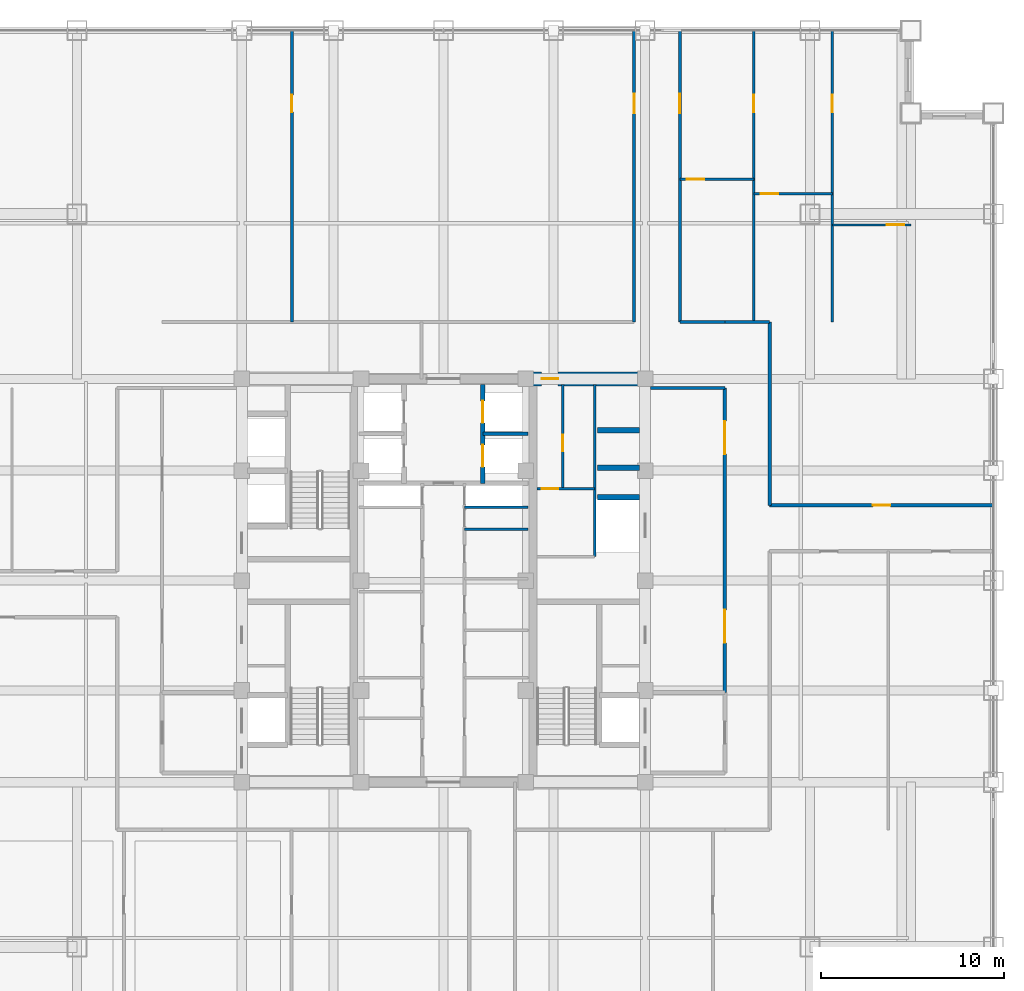
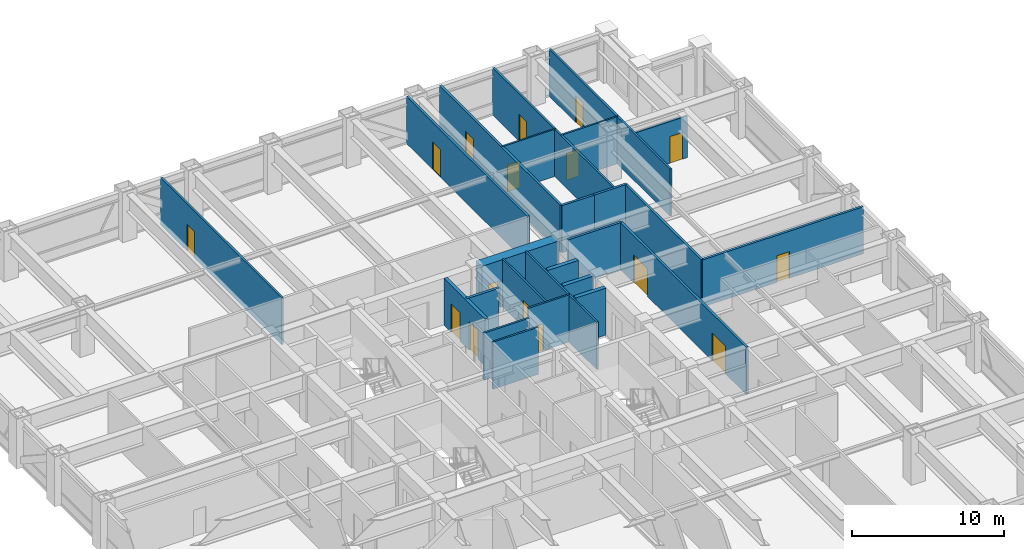
# One storey, part 23 of 26: 25 walls, 16 doors, 16 openings.
"""IFC4 building model written with IfcOpenShell, lengths in metres."""

from ifc_helpers import new_model, si_unit, direction, frame, frame_2d, origin, place, context, subcontext, project, spatial, rectangle, extrude, source, transform, mapped, material, layer, layer_set, type_object, element, fill, save


model = new_model("IFC4")

# Units and contexts
model_context = context("Model", 3, precision=1e-05, world=origin(), true_north=direction((0.0, 1.0)))
body_context = subcontext(model_context, "Body", "Model", "MODEL_VIEW")
ifc_project = project(units=[si_unit("LENGTHUNIT", "METRE"), si_unit("AREAUNIT", "SQUARE_METRE"), si_unit("VOLUMEUNIT", "CUBIC_METRE"), si_unit("PLANEANGLEUNIT", "RADIAN"), si_unit("MASSUNIT", "GRAM", prefix="KILO")], contexts=[model_context])

# Site, building, storey
site_placement = place(None, origin())
site = spatial("IfcSite", under=ifc_project, at=site_placement, CompositionType="ELEMENT")
building_placement = place(site_placement, origin())
building = spatial("IfcBuilding", under=site, at=building_placement, Name="Khorayat Bourse Tower", CompositionType="ELEMENT")
storey_placement = place(building_placement, frame((0.0, 0.0, 207.10009765625)))
storey = spatial("IfcBuildingStorey", under=building, at=storey_placement, Name="L48", CompositionType="ELEMENT", Elevation=207.10009765625)

# Wall, opening, door
ifc_material_1 = material(Name="Concrete C72/90", Category="concrete")
ifc_layer_1 = layer(ifc_material_1, 0.75)
ifc_layer_set_1 = layer_set([ifc_layer_1], Name="Concrete C72/90")
wall_type_1 = type_object("IfcWallType", Name="WAL-CORE-750", PredefinedType="SHEAR", material=ifc_layer_set_1)
shared_shape_1 = source(origin(), body_context, "Body", "SweptSolid", [
    extrude(rectangle(XDim=5.849853515625, YDim=0.75, at=frame_2d((2.9248046875, 0.0))), origin(), (0.0, 0.0, 1.0), 3.77978515625),
])
wall_1_placement = place(storey_placement, frame((4.85009765625, 11.0, 0.0), z_axis=(0.0, 0.0, 1.0), x_axis=(1.0, 0.0, 0.0)))
wall_1 = element("IfcWall", 1, at=wall_1_placement, inside=storey, type_object=wall_type_1, Name="L48 Core Shear Wall PIER-EN", PredefinedType="SHEAR", context=body_context, shape_type="MappedRepresentation", body=[
    mapped(shared_shape_1, transform((0.0, 0.0, 0.0), scale=1.0)),
])
shared_shape_2 = source(origin(), body_context, "Body", "SweptSolid", [
    extrude(rectangle(XDim=0.89990234375, YDim=2.14990234375, at=frame_2d((0.449951171875, 1.074951171875))), frame((0.0, 0.385009765625, 0.0), z_axis=(0.0, -1.0, 0.0), x_axis=(1.0, 0.0, 0.0)), (0.0, 0.0, 1.0), 0.77001953125),
])
opening_1_placement = place(wall_1_placement, frame((0.5, 0.0, 0.0)))
opening_1 = element("IfcOpeningElement", 2, at=opening_1_placement, cuts=wall_1, Name="Opening DI-06", PredefinedType="OPENING", context=body_context, shape_type="MappedRepresentation", body=[
    mapped(shared_shape_2, transform((0.0, 0.0, 0.0), scale=1.0)),
])
ifc_material_2 = material(Name="Moisture-resistant laminate washroom door")
door_type_1 = type_object("IfcDoorType", Name="DR-INT-WC-900", OperationType="NOTDEFINED", PredefinedType="DOOR", material=ifc_material_2)
shared_shape_3 = source(origin(), body_context, "Body", "SweptSolid", [
    extrude(rectangle(XDim=0.89990234375, YDim=2.14990234375, at=frame_2d((0.449951171875, 1.074951171875))), frame((0.0, 0.02490234375, 0.0), z_axis=(0.0, -1.0, 0.0), x_axis=(1.0, 0.0, 0.0)), (0.0, 0.0, 1.0), 0.050048828125),
])
door_1_placement = place(opening_1_placement, origin())
door_1 = element("IfcDoor", 3, at=door_1_placement, inside=storey, type_object=door_type_1, Name="L48 Core Washroom Lobby Door", OperationType="SINGLE_SWING_LEFT", OverallHeight=2.14990234375, OverallWidth=0.89990234375, PredefinedType="DOOR", context=body_context, shape_type="MappedRepresentation", body=[
    mapped(shared_shape_3, transform((0.0, 0.0, 0.0), scale=1.0)),
])
fill(opening_1, door_1)

# Walls
ifc_material_3 = material(Name="Concrete C50/60", Category="concrete")
ifc_layer_2 = layer(ifc_material_3, 0.300048828125)
ifc_layer_set_2 = layer_set([ifc_layer_2], Name="Concrete C50/60")
wall_type_2 = type_object("IfcWallType", Name="WAL-SHAFT-300", PredefinedType="SHEAR", material=ifc_layer_set_2)
shared_shape_4 = source(origin(), body_context, "Body", "SweptSolid", [
    extrude(rectangle(XDim=2.300048828125, YDim=0.300048828125, at=frame_2d((1.14990234375, 0.0))), origin(), (0.0, 0.0, 1.0), 3.77978515625),
])
for number, where, z_axis, x_axis, name in (
    (4, (8.39990234375, 4.550048828125, 0.0), (0.0, 0.0, 1.0), (1.0, 0.0, 0.0), "L48 Partition WAL-L48-EPIER-SVLN"),
    (5, (8.39990234375, 6.14990234375, 0.0), (0.0, 0.0, 1.0), (1.0, 0.0, 0.0), "L48 Partition WAL-L48-EPIER-H3S"),
    (6, (8.39990234375, 8.199951171875, 0.0), (0.0, 0.0, 1.0), (1.0, 0.0, 0.0), "L48 Partition WAL-L48-EPIER-H34"),
):
    element("IfcWall", number, at=place(storey_placement, frame(where, z_axis=z_axis, x_axis=x_axis)), inside=storey, type_object=wall_type_2, Name=name, PredefinedType="SHEAR", context=body_context, shape_type="MappedRepresentation", body=[
        mapped(shared_shape_4, transform((0.0, 0.0, 0.0), scale=1.0)),
    ])
ifc_material_4 = material(Name="Moisture-resistant masonry partition", Category="masonry")
ifc_layer_3 = layer(ifc_material_4, 0.139892578125)
ifc_layer_set_3 = layer_set([ifc_layer_3], Name="Moisture-resistant masonry partition")
wall_type_3 = type_object("IfcWallType", Name="WAL-PART-WET-140", PredefinedType="PARTITIONING", material=ifc_layer_set_3)
shared_shape_5 = source(origin(), body_context, "Body", "SweptSolid", [
    extrude(rectangle(XDim=9.39990234375, YDim=0.139892578125, at=frame_2d((4.699951171875, 0.0))), origin(), (0.0, 0.0, 1.0), 3.77978515625),
])
wall_2_placement = place(storey_placement, frame((8.25, 1.300048828125, 0.0), z_axis=(0.0, 0.0, 1.0), x_axis=(0.0, 1.0, 0.0)))
element("IfcWall", 7, at=wall_2_placement, inside=storey, type_object=wall_type_3, Name="L48 Partition WAL-L48-ECORE-E", PredefinedType="PARTITIONING", context=body_context, shape_type="MappedRepresentation", body=[
    mapped(shared_shape_5, transform((0.0, 0.0, 0.0), scale=1.0)),
])

# Wall, opening, door
shared_shape_6 = source(origin(), body_context, "Body", "SweptSolid", [
    extrude(rectangle(XDim=3.14990234375, YDim=0.139892578125, at=frame_2d((1.574951171875, 0.0))), origin(), (0.0, 0.0, 1.0), 3.77978515625),
])
wall_3_placement = place(storey_placement, frame((5.10009765625, 5.0, 0.0), z_axis=(0.0, 0.0, 1.0), x_axis=(1.0, 0.0, 0.0)))
wall_3 = element("IfcWall", 8, at=wall_3_placement, inside=storey, type_object=wall_type_3, Name="L48 Partition WAL-L48-ECW-BOT", PredefinedType="PARTITIONING", context=body_context, shape_type="MappedRepresentation", body=[
    mapped(shared_shape_6, transform((0.0, 0.0, 0.0), scale=1.0)),
])
shared_shape_7 = source(origin(), body_context, "Body", "SweptSolid", [
    extrude(rectangle(XDim=0.89990234375, YDim=2.14990234375, at=frame_2d((0.449951171875, 1.074951171875))), frame((0.0, 0.079833984375, 0.0), z_axis=(0.0, -1.0, 0.0), x_axis=(1.0, 0.0, 0.0)), (0.0, 0.0, 1.0), 0.159912109375),
])
opening_2_placement = place(wall_3_placement, frame((0.25, 0.0, 0.0)))
opening_2 = element("IfcOpeningElement", 9, at=opening_2_placement, cuts=wall_3, Name="Opening DI-06", PredefinedType="OPENING", context=body_context, shape_type="MappedRepresentation", body=[
    mapped(shared_shape_7, transform((0.0, 0.0, 0.0), scale=1.0)),
])
door_2_placement = place(opening_2_placement, origin())
door_2 = element("IfcDoor", 10, at=door_2_placement, inside=storey, type_object=door_type_1, Name="L48 Shared Washroom Door", OperationType="SINGLE_SWING_LEFT", OverallHeight=2.14990234375, OverallWidth=0.89990234375, PredefinedType="DOOR", context=body_context, shape_type="MappedRepresentation", body=[
    mapped(shared_shape_3, transform((0.0, 0.0, 0.0), scale=1.0)),
])
fill(opening_2, door_2)

# Wall
ifc_material_5 = material(Name="Gypsum plasterboard acoustic stud wall")
ifc_layer_4 = layer(ifc_material_5, 0.179931640625)
ifc_layer_set_4 = layer_set([ifc_layer_4], Name="Gypsum plasterboard acoustic stud wall")
wall_type_4 = type_object("IfcWallType", Name="WAL-PART-CORR-180", PredefinedType="PARTITIONING", material=ifc_layer_set_4)
shared_shape_8 = source(origin(), body_context, "Body", "SweptSolid", [
    extrude(rectangle(XDim=4.050048828125, YDim=0.179931640625, at=frame_2d((2.02490234375, 0.0))), origin(), (0.0, 0.0, 1.0), 3.77978515625),
])
wall_4_placement = place(storey_placement, frame((11.300048828125, 10.5, 0.0), z_axis=(0.0, 0.0, 1.0), x_axis=(1.0, 0.0, 0.0)))
element("IfcWall", 11, at=wall_4_placement, inside=storey, type_object=wall_type_4, Name="L48 Partition WAL-L48-ELOB-N", PredefinedType="PARTITIONING", context=body_context, shape_type="MappedRepresentation", body=[
    mapped(shared_shape_8, transform((0.0, 0.0, 0.0), scale=1.0)),
])

# Wall, openings, doors
shared_shape_9 = source(origin(), body_context, "Body", "SweptSolid", [
    extrude(rectangle(XDim=16.60009765625, YDim=0.179931640625, at=frame_2d((8.300048828125, 0.0))), origin(), (0.0, 0.0, 1.0), 3.77978515625),
])
wall_5_placement = place(storey_placement, frame((15.35009765625, -6.10009765625, 0.0), z_axis=(0.0, 0.0, 1.0), x_axis=(0.0, 1.0, 0.0)))
wall_5 = element("IfcWall", 12, at=wall_5_placement, inside=storey, type_object=wall_type_4, Name="L48 Partition WAL-L48-ELOB-E", PredefinedType="PARTITIONING", context=body_context, shape_type="MappedRepresentation", body=[
    mapped(shared_shape_9, transform((0.0, 0.0, 0.0), scale=1.0)),
])
shared_shape_10 = source(origin(), body_context, "Body", "SweptSolid", [
    extrude(rectangle(XDim=1.800048828125, YDim=2.25, at=frame_2d((0.89990234375, 1.125))), frame((0.0, 0.099853515625, 0.0), z_axis=(0.0, -1.0, 0.0), x_axis=(1.0, 0.0, 0.0)), (0.0, 0.0, 1.0), 0.199951171875),
])
opening_3_placement = place(wall_5_placement, frame((2.699951171875, 0.0, 0.0)))
opening_3 = element("IfcOpeningElement", 13, at=opening_3_placement, cuts=wall_5, Name="Opening DI-03", PredefinedType="OPENING", context=body_context, shape_type="MappedRepresentation", body=[
    mapped(shared_shape_10, transform((0.0, 0.0, 0.0), scale=1.0)),
])
opening_4_placement = place(wall_5_placement, frame((13.0, 0.0, 0.0)))
opening_4 = element("IfcOpeningElement", 14, at=opening_4_placement, cuts=wall_5, Name="Opening DI-03", PredefinedType="OPENING", context=body_context, shape_type="MappedRepresentation", body=[
    mapped(shared_shape_10, transform((0.0, 0.0, 0.0), scale=1.0)),
])
ifc_material_6 = material(Name="Fire-rated hardwood vision-panel double leaf", Category="wood")
door_type_2 = type_object("IfcDoorType", Name="DR-INT-CORR-1800", OperationType="NOTDEFINED", PredefinedType="DOOR", material=ifc_material_6)
shared_shape_11 = source(origin(), body_context, "Body", "SweptSolid", [
    extrude(rectangle(XDim=1.800048828125, YDim=2.25, at=frame_2d((0.89990234375, 1.125))), frame((0.0, 0.02490234375, 0.0), z_axis=(0.0, -1.0, 0.0), x_axis=(1.0, 0.0, 0.0)), (0.0, 0.0, 1.0), 0.050048828125),
])
door_3_placement = place(opening_3_placement, origin())
door_3 = element("IfcDoor", 15, at=door_3_placement, inside=storey, type_object=door_type_2, Name="L48 East Core Lobby South Door", OperationType="SINGLE_SWING_RIGHT", OverallHeight=2.25, OverallWidth=1.800048828125, PredefinedType="DOOR", context=body_context, shape_type="MappedRepresentation", body=[
    mapped(shared_shape_11, transform((0.0, 0.0, 0.0), scale=1.0)),
])
fill(opening_3, door_3)
door_4_placement = place(opening_4_placement, origin())
door_4 = element("IfcDoor", 16, at=door_4_placement, inside=storey, type_object=door_type_2, Name="L48 East Core Lobby North Door", OperationType="SINGLE_SWING_LEFT", OverallHeight=2.25, OverallWidth=1.800048828125, PredefinedType="DOOR", context=body_context, shape_type="MappedRepresentation", body=[
    mapped(shared_shape_11, transform((0.0, 0.0, 0.0), scale=1.0)),
])
fill(opening_4, door_4)

# Walls
ifc_material_7 = material(Name="Gypsum plasterboard twin-frame partition")
ifc_layer_5 = layer(ifc_material_7, 0.14990234375)
ifc_layer_set_5 = layer_set([ifc_layer_5], Name="Gypsum plasterboard twin-frame partition")
wall_type_5 = type_object("IfcWallType", Name="WAL-PART-SUITE-150", PredefinedType="PARTITIONING", material=ifc_layer_set_5)
shared_shape_12 = source(origin(), body_context, "Body", "SweptSolid", [
    extrude(rectangle(XDim=3.4501953125, YDim=0.14990234375, at=frame_2d((1.72509765625, 0.0))), origin(), (0.0, 0.0, 1.0), 3.77978515625),
])
wall_6_placement = place(storey_placement, frame((1.14990234375, 4.0, 0.0), z_axis=(0.0, 0.0, 1.0), x_axis=(1.0, 0.0, 0.0)))
element("IfcWall", 17, at=wall_6_placement, inside=storey, type_object=wall_type_5, Name="L48 Partition WAL-L48-CRSE-S", PredefinedType="PARTITIONING", context=body_context, shape_type="MappedRepresentation", body=[
    mapped(shared_shape_12, transform((0.0, 0.0, 0.0), scale=1.0)),
])
shared_shape_13 = source(origin(), body_context, "Body", "SweptSolid", [
    extrude(rectangle(XDim=3.4501953125, YDim=0.139892578125, at=frame_2d((1.72509765625, 0.0))), origin(), (0.0, 0.0, 1.0), 3.77978515625),
])
wall_7_placement = place(storey_placement, frame((1.14990234375, 2.800048828125, 0.0), z_axis=(0.0, 0.0, 1.0), x_axis=(1.0, 0.0, 0.0)))
element("IfcWall", 18, at=wall_7_placement, inside=storey, type_object=wall_type_3, Name="L48 Partition WAL-L48-CME-D3", PredefinedType="PARTITIONING", context=body_context, shape_type="MappedRepresentation", body=[
    mapped(shared_shape_13, transform((0.0, 0.0, 0.0), scale=1.0)),
])

# Wall, openings, doors
shared_shape_14 = source(origin(), body_context, "Body", "SweptSolid", [
    extrude(rectangle(XDim=5.39990234375, YDim=0.25, at=frame_2d((2.699951171875, 0.0))), origin(), (0.0, 0.0, 1.0), 3.77978515625),
])
wall_8_placement = place(storey_placement, frame((2.14990234375, 5.300048828125, 0.0), z_axis=(0.0, 0.0, 1.0), x_axis=(0.0, 1.0, 0.0)))
wall_8 = element("IfcWall", 19, at=wall_8_placement, inside=storey, type_object=wall_type_2, Name="L48 Partition WAL-L48-B2-E", PredefinedType="SHEAR", context=body_context, shape_type="MappedRepresentation", body=[
    mapped(shared_shape_14, transform((0.0, 0.0, 0.0), scale=1.0)),
])
shared_shape_15 = source(origin(), body_context, "Body", "SweptSolid", [
    extrude(rectangle(XDim=1.199951171875, YDim=2.300048828125, at=frame_2d((0.60009765625, 1.14990234375))), frame((0.0, 0.135009765625, 0.0), z_axis=(0.0, -1.0, 0.0), x_axis=(1.0, 0.0, 0.0)), (0.0, 0.0, 1.0), 0.27001953125),
])
opening_5_placement = place(wall_8_placement, frame((3.300048828125, 0.0, 0.0)))
opening_5 = element("IfcOpeningElement", 20, at=opening_5_placement, cuts=wall_8, Name="Opening LD-01", PredefinedType="OPENING", context=body_context, shape_type="MappedRepresentation", body=[
    mapped(shared_shape_15, transform((0.0, 0.0, 0.0), scale=1.0)),
])
opening_6_placement = place(wall_8_placement, frame((0.89990234375, 0.0, 0.0)))
opening_6 = element("IfcOpeningElement", 21, at=opening_6_placement, cuts=wall_8, Name="Opening LD-01", PredefinedType="OPENING", context=body_context, shape_type="MappedRepresentation", body=[
    mapped(shared_shape_15, transform((0.0, 0.0, 0.0), scale=1.0)),
])
ifc_material_8 = material(Name="Brushed bronze stainless-steel sliding door", Category="steel")
door_type_3 = type_object("IfcDoorType", Name="DR-LIFT-PASS-1200", OperationType="NOTDEFINED", PredefinedType="DOOR", material=ifc_material_8)
shared_shape_16 = source(origin(), body_context, "Body", "SweptSolid", [
    extrude(rectangle(XDim=1.199951171875, YDim=2.300048828125, at=frame_2d((0.60009765625, 1.14990234375))), frame((0.0, 0.02490234375, 0.0), z_axis=(0.0, -1.0, 0.0), x_axis=(1.0, 0.0, 0.0)), (0.0, 0.0, 1.0), 0.050048828125),
])
door_5_placement = place(opening_5_placement, origin())
door_5 = element("IfcDoor", 22, at=door_5_placement, inside=storey, type_object=door_type_3, Name="L48 Lift PL-M2 Sliding Landing Door", OperationType="SLIDING_TO_LEFT", OverallHeight=2.300048828125, OverallWidth=1.199951171875, PredefinedType="DOOR", context=body_context, shape_type="MappedRepresentation", body=[
    mapped(shared_shape_16, transform((0.0, 0.0, 0.0), scale=1.0)),
])
fill(opening_5, door_5)
door_6_placement = place(opening_6_placement, origin())
door_6 = element("IfcDoor", 23, at=door_6_placement, inside=storey, type_object=door_type_3, Name="L48 Lift PL-M4 Sliding Landing Door", OperationType="SLIDING_TO_LEFT", OverallHeight=2.300048828125, OverallWidth=1.199951171875, PredefinedType="DOOR", context=body_context, shape_type="MappedRepresentation", body=[
    mapped(shared_shape_16, transform((0.0, 0.0, 0.0), scale=1.0)),
])
fill(opening_6, door_6)

# Walls
shared_shape_17 = source(origin(), body_context, "Body", "SweptSolid", [
    extrude(rectangle(XDim=2.4501953125, YDim=0.199951171875, at=frame_2d((1.22509765625, 0.0))), origin(), (0.0, 0.0, 1.0), 3.77978515625),
])
wall_9_placement = place(storey_placement, frame((2.14990234375, 8.0, 0.0), z_axis=(0.0, 0.0, 1.0), x_axis=(1.0, 0.0, 0.0)))
element("IfcWall", 24, at=wall_9_placement, inside=storey, type_object=wall_type_2, Name="L48 Partition WAL-L48-B2-ME", PredefinedType="SHEAR", context=body_context, shape_type="MappedRepresentation", body=[
    mapped(shared_shape_17, transform((0.0, 0.0, 0.0), scale=1.0)),
])
shared_shape_18 = source(origin(), body_context, "Body", "SweptSolid", [
    extrude(rectangle(XDim=2.449951171875, YDim=0.179931640625, at=frame_2d((1.22509765625, 0.0))), origin(), (0.0, 0.0, 1.0), 3.77978515625),
])
wall_10_placement = place(storey_placement, frame((15.35009765625, 14.10009765625, 0.0), z_axis=(0.0, 0.0, 1.0), x_axis=(1.0, 0.0, 0.0)))
element("IfcWall", 25, at=wall_10_placement, inside=storey, type_object=wall_type_4, Name="L48 Partition WAL-L48-C2-EN", PredefinedType="PARTITIONING", context=body_context, shape_type="MappedRepresentation", body=[
    mapped(shared_shape_18, transform((0.0, 0.0, 0.0), scale=1.0)),
])

# Wall, opening, door
shared_shape_19 = source(origin(), body_context, "Body", "SweptSolid", [
    extrude(rectangle(XDim=12.199951171875, YDim=0.179931640625, at=frame_2d((6.10009765625, 0.0))), origin(), (0.0, 0.0, 1.0), 3.77978515625),
])
wall_11_placement = place(storey_placement, frame((17.800048828125, 4.10009765625, 0.0), z_axis=(0.0, 0.0, 1.0), x_axis=(1.0, 0.0, 0.0)))
wall_11 = element("IfcWall", 26, at=wall_11_placement, inside=storey, type_object=wall_type_4, Name="L48 Partition WAL-L48-EN-SPK", PredefinedType="PARTITIONING", context=body_context, shape_type="MappedRepresentation", body=[
    mapped(shared_shape_19, transform((0.0, 0.0, 0.0), scale=1.0)),
])
shared_shape_20 = source(origin(), body_context, "Body", "SweptSolid", [
    extrude(rectangle(XDim=0.949951171875, YDim=2.14990234375, at=frame_2d((0.47509765625, 1.074951171875))), frame((0.0, 0.099853515625, 0.0), z_axis=(0.0, -1.0, 0.0), x_axis=(1.0, 0.0, 0.0)), (0.0, 0.0, 1.0), 0.199951171875),
])
opening_7_placement = place(wall_11_placement, frame((5.625, 0.0, 0.0)))
opening_7 = element("IfcOpeningElement", 27, at=opening_7_placement, cuts=wall_11, Name="Opening DI-05", PredefinedType="OPENING", context=body_context, shape_type="MappedRepresentation", body=[
    mapped(shared_shape_20, transform((0.0, 0.0, 0.0), scale=1.0)),
])
ifc_material_9 = material(Name="Acoustic oak veneer office door")
door_type_4 = type_object("IfcDoorType", Name="DR-INT-OFFICE-950", OperationType="NOTDEFINED", PredefinedType="DOOR", material=ifc_material_9)
shared_shape_21 = source(origin(), body_context, "Body", "SweptSolid", [
    extrude(rectangle(XDim=0.949951171875, YDim=2.14990234375, at=frame_2d((0.47509765625, 1.074951171875))), frame((0.0, 0.02490234375, 0.0), z_axis=(0.0, -1.0, 0.0), x_axis=(1.0, 0.0, 0.0)), (0.0, 0.0, 1.0), 0.050048828125),
])
door_7_placement = place(opening_7_placement, origin())
door_7 = element("IfcDoor", 28, at=door_7_placement, inside=storey, type_object=door_type_4, Name="L48 Staff Tea Pantry EN Door", OperationType="SINGLE_SWING_LEFT", OverallHeight=2.14990234375, OverallWidth=0.949951171875, PredefinedType="DOOR", context=body_context, shape_type="MappedRepresentation", body=[
    mapped(shared_shape_21, transform((0.0, 0.0, 0.0), scale=1.0)),
])
fill(opening_7, door_7)

shared_shape_22 = source(origin(), body_context, "Body", "SweptSolid", [
    extrude(rectangle(XDim=5.699951171875, YDim=0.139892578125, at=frame_2d((2.85009765625, 0.0))), origin(), (0.0, 0.0, 1.0), 3.77978515625),
])
wall_12_placement = place(storey_placement, frame((6.5, 5.0, 0.0), z_axis=(0.0, 0.0, 1.0), x_axis=(0.0, 1.0, 0.0)))
wall_12 = element("IfcWall", 29, at=wall_12_placement, inside=storey, type_object=wall_type_3, Name="L48 Partition WAL-L48-ECW-MID", PredefinedType="PARTITIONING", context=body_context, shape_type="MappedRepresentation", body=[
    mapped(shared_shape_22, transform((0.0, 0.0, 0.0), scale=1.0)),
])
opening_8_placement = place(wall_12_placement, frame((2.050048828125, 0.0, 0.0)))
opening_8 = element("IfcOpeningElement", 30, at=opening_8_placement, cuts=wall_12, Name="Opening DI-06", PredefinedType="OPENING", context=body_context, shape_type="MappedRepresentation", body=[
    mapped(shared_shape_7, transform((0.0, 0.0, 0.0), scale=1.0)),
])
door_8_placement = place(opening_8_placement, origin())
door_8 = element("IfcDoor", 31, at=door_8_placement, inside=storey, type_object=door_type_1, Name="L48 Accessible WC Door", OperationType="SINGLE_SWING_RIGHT", OverallHeight=2.14990234375, OverallWidth=0.89990234375, PredefinedType="DOOR", context=body_context, shape_type="MappedRepresentation", body=[
    mapped(shared_shape_3, transform((0.0, 0.0, 0.0), scale=1.0)),
])
fill(opening_8, door_8)

shared_shape_23 = source(origin(), body_context, "Body", "SweptSolid", [
    extrude(rectangle(XDim=15.89990234375, YDim=0.179931640625, at=frame_2d((7.949951171875, 0.0))), origin(), (0.0, 0.0, 1.0), 3.77978515625),
])
wall_13_placement = place(storey_placement, frame((10.39990234375, 14.10009765625, 0.0), z_axis=(0.0, 0.0, 1.0), x_axis=(0.0, 1.0, 0.0)))
wall_13 = element("IfcWall", 32, at=wall_13_placement, inside=storey, type_object=wall_type_4, Name="L48 Partition WAL-L48-QNW-SPK", PredefinedType="PARTITIONING", context=body_context, shape_type="MappedRepresentation", body=[
    mapped(shared_shape_23, transform((0.0, 0.0, 0.0), scale=1.0)),
])
shared_shape_24 = source(origin(), body_context, "Body", "SweptSolid", [
    extrude(rectangle(XDim=1.050048828125, YDim=2.199951171875, at=frame_2d((0.52490234375, 1.10009765625))), frame((0.0, 0.099853515625, 0.0), z_axis=(0.0, -1.0, 0.0), x_axis=(1.0, 0.0, 0.0)), (0.0, 0.0, 1.0), 0.199951171875),
])
opening_9_placement = place(wall_13_placement, frame((11.39990234375, 0.0, 0.0)))
opening_9 = element("IfcOpeningElement", 33, at=opening_9_placement, cuts=wall_13, Name="Opening DI-04", PredefinedType="OPENING", context=body_context, shape_type="MappedRepresentation", body=[
    mapped(shared_shape_24, transform((0.0, 0.0, 0.0), scale=1.0)),
])
ifc_material_10 = material(Name="Fire-rated oak veneer suite entrance door")
door_type_5 = type_object("IfcDoorType", Name="DR-INT-SUITE-1050", OperationType="NOTDEFINED", PredefinedType="DOOR", material=ifc_material_10)
shared_shape_25 = source(origin(), body_context, "Body", "SweptSolid", [
    extrude(rectangle(XDim=1.050048828125, YDim=2.199951171875, at=frame_2d((0.52490234375, 1.10009765625))), frame((0.0, 0.02490234375, 0.0), z_axis=(0.0, -1.0, 0.0), x_axis=(1.0, 0.0, 0.0)), (0.0, 0.0, 1.0), 0.050048828125),
])
door_9_placement = place(opening_9_placement, origin())
door_9 = element("IfcDoor", 34, at=door_9_placement, inside=storey, type_object=door_type_5, Name="L48 North-West Radial Spoke Entry", OperationType="SINGLE_SWING_LEFT", OverallHeight=2.199951171875, OverallWidth=1.050048828125, PredefinedType="DOOR", context=body_context, shape_type="MappedRepresentation", body=[
    mapped(shared_shape_25, transform((0.0, 0.0, 0.0), scale=1.0)),
])
fill(opening_9, door_9)

wall_14_placement = place(storey_placement, frame((12.89990234375, 14.10009765625, 0.0), z_axis=(0.0, 0.0, 1.0), x_axis=(0.0, 1.0, 0.0)))
wall_14 = element("IfcWall", 35, at=wall_14_placement, inside=storey, type_object=wall_type_4, Name="L48 Partition WAL-L48-QNE-SPK", PredefinedType="PARTITIONING", context=body_context, shape_type="MappedRepresentation", body=[
    mapped(shared_shape_23, transform((0.0, 0.0, 0.0), scale=1.0)),
])
opening_10_placement = place(wall_14_placement, frame((11.39990234375, 0.0, 0.0)))
opening_10 = element("IfcOpeningElement", 36, at=opening_10_placement, cuts=wall_14, Name="Opening DI-04", PredefinedType="OPENING", context=body_context, shape_type="MappedRepresentation", body=[
    mapped(shared_shape_24, transform((0.0, 0.0, 0.0), scale=1.0)),
])
door_10_placement = place(opening_10_placement, origin())
door_10 = element("IfcDoor", 37, at=door_10_placement, inside=storey, type_object=door_type_5, Name="L48 North-East Radial Spoke Entry", OperationType="SINGLE_SWING_LEFT", OverallHeight=2.199951171875, OverallWidth=1.050048828125, PredefinedType="DOOR", context=body_context, shape_type="MappedRepresentation", body=[
    mapped(shared_shape_25, transform((0.0, 0.0, 0.0), scale=1.0)),
])
fill(opening_10, door_10)

shared_shape_26 = source(origin(), body_context, "Body", "SweptSolid", [
    extrude(rectangle(XDim=15.89990234375, YDim=0.14990234375, at=frame_2d((7.949951171875, 0.0))), origin(), (0.0, 0.0, 1.0), 3.77978515625),
])
wall_15_placement = place(storey_placement, frame((-8.26806640625, 14.10009765625, 0.0), z_axis=(0.0, 0.0, 1.0), x_axis=(0.0, 1.0, 0.0)))
wall_15 = element("IfcWall", 38, at=wall_15_placement, inside=storey, type_object=wall_type_5, Name="L48 Partition WAL-L48-QNWDV-1", PredefinedType="PARTITIONING", context=body_context, shape_type="MappedRepresentation", body=[
    mapped(shared_shape_26, transform((0.0, 0.0, 0.0), scale=1.0)),
])
shared_shape_27 = source(origin(), body_context, "Body", "SweptSolid", [
    extrude(rectangle(XDim=0.949951171875, YDim=2.14990234375, at=frame_2d((0.47509765625, 1.074951171875))), frame((0.0, 0.0849609375, 0.0), z_axis=(0.0, -1.0, 0.0), x_axis=(1.0, 0.0, 0.0)), (0.0, 0.0, 1.0), 0.169921875),
])
opening_11_placement = place(wall_15_placement, frame((11.449951171875, 0.0, 0.0)))
opening_11 = element("IfcOpeningElement", 39, at=opening_11_placement, cuts=wall_15, Name="Opening DI-05", PredefinedType="OPENING", context=body_context, shape_type="MappedRepresentation", body=[
    mapped(shared_shape_27, transform((0.0, 0.0, 0.0), scale=1.0)),
])
door_11_placement = place(opening_11_placement, origin())
door_11 = element("IfcDoor", 40, at=door_11_placement, inside=storey, type_object=door_type_4, Name="L48 North-West Suite Link 1", OperationType="SINGLE_SWING_RIGHT", OverallHeight=2.14990234375, OverallWidth=0.949951171875, PredefinedType="DOOR", context=body_context, shape_type="MappedRepresentation", body=[
    mapped(shared_shape_21, transform((0.0, 0.0, 0.0), scale=1.0)),
])
fill(opening_11, door_11)

wall_16_placement = place(storey_placement, frame((16.931884765625, 14.10009765625, 0.0), z_axis=(0.0, 0.0, 1.0), x_axis=(0.0, 1.0, 0.0)))
wall_16 = element("IfcWall", 41, at=wall_16_placement, inside=storey, type_object=wall_type_5, Name="L48 Partition WAL-L48-QNEDV-1", PredefinedType="PARTITIONING", context=body_context, shape_type="MappedRepresentation", body=[
    mapped(shared_shape_26, transform((0.0, 0.0, 0.0), scale=1.0)),
])
opening_12_placement = place(wall_16_placement, frame((11.449951171875, 0.0, 0.0)))
opening_12 = element("IfcOpeningElement", 42, at=opening_12_placement, cuts=wall_16, Name="Opening DI-05", PredefinedType="OPENING", context=body_context, shape_type="MappedRepresentation", body=[
    mapped(shared_shape_27, transform((0.0, 0.0, 0.0), scale=1.0)),
])
door_12_placement = place(opening_12_placement, origin())
door_12 = element("IfcDoor", 43, at=door_12_placement, inside=storey, type_object=door_type_4, Name="L48 North-East Suite Link 1", OperationType="SINGLE_SWING_RIGHT", OverallHeight=2.14990234375, OverallWidth=0.949951171875, PredefinedType="DOOR", context=body_context, shape_type="MappedRepresentation", body=[
    mapped(shared_shape_21, transform((0.0, 0.0, 0.0), scale=1.0)),
])
fill(opening_12, door_12)

wall_17_placement = place(storey_placement, frame((21.216064453125, 14.10009765625, 0.0), z_axis=(0.0, 0.0, 1.0), x_axis=(0.0, 1.0, 0.0)))
wall_17 = element("IfcWall", 44, at=wall_17_placement, inside=storey, type_object=wall_type_5, Name="L48 Partition WAL-L48-QNEDV-2", PredefinedType="PARTITIONING", context=body_context, shape_type="MappedRepresentation", body=[
    mapped(shared_shape_26, transform((0.0, 0.0, 0.0), scale=1.0)),
])
opening_13_placement = place(wall_17_placement, frame((11.449951171875, 0.0, 0.0)))
opening_13 = element("IfcOpeningElement", 45, at=opening_13_placement, cuts=wall_17, Name="Opening DI-05", PredefinedType="OPENING", context=body_context, shape_type="MappedRepresentation", body=[
    mapped(shared_shape_27, transform((0.0, 0.0, 0.0), scale=1.0)),
])
door_13_placement = place(opening_13_placement, origin())
door_13 = element("IfcDoor", 46, at=door_13_placement, inside=storey, type_object=door_type_4, Name="L48 North-East Suite Link 2", OperationType="SINGLE_SWING_LEFT", OverallHeight=2.14990234375, OverallWidth=0.949951171875, PredefinedType="DOOR", context=body_context, shape_type="MappedRepresentation", body=[
    mapped(shared_shape_21, transform((0.0, 0.0, 0.0), scale=1.0)),
])
fill(opening_13, door_13)

ifc_material_11 = material(Name="Gypsum plasterboard partition")
ifc_layer_6 = layer(ifc_material_11, 0.125)
ifc_layer_set_6 = layer_set([ifc_layer_6], Name="Gypsum plasterboard partition")
wall_type_6 = type_object("IfcWallType", Name="WAL-PART-ROOM-125", PredefinedType="PARTITIONING", material=ifc_layer_set_6)
shared_shape_28 = source(origin(), body_context, "Body", "SweptSolid", [
    extrude(rectangle(XDim=4.031982421875, YDim=0.125, at=frame_2d((2.01611328125, 0.0))), origin(), (0.0, 0.0, 1.0), 3.77978515625),
])
wall_18_placement = place(storey_placement, frame((12.89990234375, 21.89111328125, 0.0), z_axis=(0.0, 0.0, 1.0), x_axis=(1.0, 0.0, 0.0)))
wall_18 = element("IfcWall", 47, at=wall_18_placement, inside=storey, type_object=wall_type_6, Name="L48 Partition WAL-L48-QNEDP-1", PredefinedType="PARTITIONING", context=body_context, shape_type="MappedRepresentation", body=[
    mapped(shared_shape_28, transform((0.0, 0.0, 0.0), scale=1.0)),
])
shared_shape_29 = source(origin(), body_context, "Body", "SweptSolid", [
    extrude(rectangle(XDim=0.949951171875, YDim=2.14990234375, at=frame_2d((0.47509765625, 1.074951171875))), frame((0.0, 0.072509765625, 0.0), z_axis=(0.0, -1.0, 0.0), x_axis=(1.0, 0.0, 0.0)), (0.0, 0.0, 1.0), 0.14501953125),
])
opening_14_placement = place(wall_18_placement, frame((0.375, 0.0, 0.0)))
opening_14 = element("IfcOpeningElement", 48, at=opening_14_placement, cuts=wall_18, Name="Opening DI-05", PredefinedType="OPENING", context=body_context, shape_type="MappedRepresentation", body=[
    mapped(shared_shape_29, transform((0.0, 0.0, 0.0), scale=1.0)),
])
door_14_placement = place(opening_14_placement, origin())
door_14 = element("IfcDoor", 49, at=door_14_placement, inside=storey, type_object=door_type_4, Name="L48 North-East Financial Training Classroom 1B Door", OperationType="SINGLE_SWING_RIGHT", OverallHeight=2.14990234375, OverallWidth=0.949951171875, PredefinedType="DOOR", context=body_context, shape_type="MappedRepresentation", body=[
    mapped(shared_shape_21, transform((0.0, 0.0, 0.0), scale=1.0)),
])
fill(opening_14, door_14)

shared_shape_30 = source(origin(), body_context, "Body", "SweptSolid", [
    extrude(rectangle(XDim=4.2841796875, YDim=0.125, at=frame_2d((2.14208984375, 0.0))), origin(), (0.0, 0.0, 1.0), 3.77978515625),
])
wall_19_placement = place(storey_placement, frame((16.931884765625, 21.095947265625, 0.0), z_axis=(0.0, 0.0, 1.0), x_axis=(1.0, 0.0, 0.0)))
wall_19 = element("IfcWall", 50, at=wall_19_placement, inside=storey, type_object=wall_type_6, Name="L48 Partition WAL-L48-QNEDP-2", PredefinedType="PARTITIONING", context=body_context, shape_type="MappedRepresentation", body=[
    mapped(shared_shape_30, transform((0.0, 0.0, 0.0), scale=1.0)),
])
opening_15_placement = place(wall_19_placement, frame((0.375, 0.0, 0.0)))
opening_15 = element("IfcOpeningElement", 51, at=opening_15_placement, cuts=wall_19, Name="Opening DI-05", PredefinedType="OPENING", context=body_context, shape_type="MappedRepresentation", body=[
    mapped(shared_shape_29, transform((0.0, 0.0, 0.0), scale=1.0)),
])
door_15_placement = place(opening_15_placement, origin())
door_15 = element("IfcDoor", 52, at=door_15_placement, inside=storey, type_object=door_type_4, Name="L48 North-East Clearing Records Archive Store 2B Door", OperationType="SINGLE_SWING_LEFT", OverallHeight=2.14990234375, OverallWidth=0.949951171875, PredefinedType="DOOR", context=body_context, shape_type="MappedRepresentation", body=[
    mapped(shared_shape_21, transform((0.0, 0.0, 0.0), scale=1.0)),
])
fill(opening_15, door_15)

shared_shape_31 = source(origin(), body_context, "Body", "SweptSolid", [
    extrude(rectangle(XDim=4.283935546875, YDim=0.125, at=frame_2d((2.14208984375, 0.0))), origin(), (0.0, 0.0, 1.0), 3.36279296875),
])
wall_20_placement = place(storey_placement, frame((21.216064453125, 19.40087890625, 0.0), z_axis=(0.0, 0.0, 1.0), x_axis=(1.0, 0.0, 0.0)))
wall_20 = element("IfcWall", 53, at=wall_20_placement, inside=storey, type_object=wall_type_6, Name="L48 Partition WAL-L48-QNEDP-3", PredefinedType="PARTITIONING", context=body_context, shape_type="MappedRepresentation", body=[
    mapped(shared_shape_31, transform((0.0, 0.0, 0.0), scale=1.0)),
])
opening_16_placement = place(wall_20_placement, frame((2.958984375, 0.0, 0.0)))
opening_16 = element("IfcOpeningElement", 54, at=opening_16_placement, cuts=wall_20, Name="Opening DI-05", PredefinedType="OPENING", context=body_context, shape_type="MappedRepresentation", body=[
    mapped(shared_shape_29, transform((0.0, 0.0, 0.0), scale=1.0)),
])
door_16_placement = place(opening_16_placement, origin())
door_16 = element("IfcDoor", 55, at=door_16_placement, inside=storey, type_object=door_type_4, Name="L48 North-East Members Exchange Lounge 3B Door", OperationType="SINGLE_SWING_RIGHT", OverallHeight=2.14990234375, OverallWidth=0.949951171875, PredefinedType="DOOR", context=body_context, shape_type="MappedRepresentation", body=[
    mapped(shared_shape_21, transform((0.0, 0.0, 0.0), scale=1.0)),
])
fill(opening_16, door_16)

# Walls
shared_shape_32 = source(origin(), body_context, "Body", "SweptSolid", [
    extrude(rectangle(XDim=2.4501953125, YDim=0.179931640625, at=frame_2d((1.22509765625, 0.0))), origin(), (0.0, 0.0, 1.0), 3.77978515625),
])
wall_21_placement = place(storey_placement, frame((12.89990234375, 14.10009765625, 0.0), z_axis=(0.0, 0.0, 1.0), x_axis=(1.0, 0.0, 0.0)))
element("IfcWall", 56, at=wall_21_placement, inside=storey, type_object=wall_type_4, Name="L48 Partition WAL-L48-QNE-HC", PredefinedType="PARTITIONING", context=body_context, shape_type="MappedRepresentation", body=[
    mapped(shared_shape_32, transform((0.0, 0.0, 0.0), scale=1.0)),
])
shared_shape_33 = source(origin(), body_context, "Body", "SweptSolid", [
    extrude(rectangle(XDim=10.0, YDim=0.179931640625, at=frame_2d((5.0, 0.0))), origin(), (0.0, 0.0, 1.0), 3.77978515625),
])
wall_22_placement = place(storey_placement, frame((17.800048828125, 4.10009765625, 0.0), z_axis=(0.0, 0.0, 1.0), x_axis=(0.0, 1.0, 0.0)))
element("IfcWall", 57, at=wall_22_placement, inside=storey, type_object=wall_type_4, Name="L48 Partition WAL-L48-EN-IN", PredefinedType="PARTITIONING", context=body_context, shape_type="MappedRepresentation", body=[
    mapped(shared_shape_33, transform((0.0, 0.0, 0.0), scale=1.0)),
])

save(model, "model.ifc")
